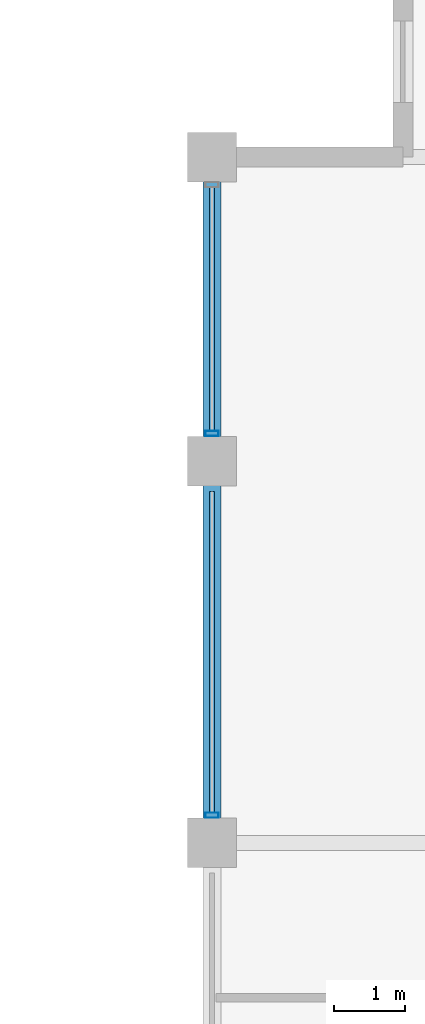
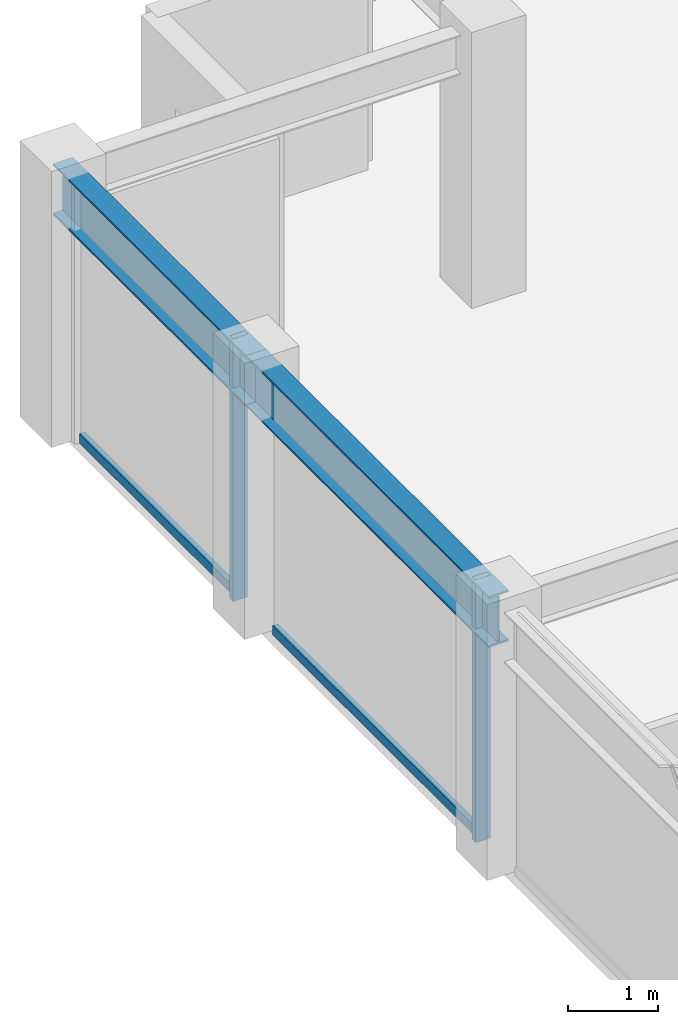
# One storey, part 13 of 31: 4 members, 2 beams, 1 element without a shape of its own.
"""IFC4 building model written with IfcOpenShell, lengths in metres."""

from ifc_helpers import new_model, si_unit, direction, frame, origin, origin_2d, place, context, subcontext, project, spatial, hollow_rectangle, i_section, extrude, material, layer, layer_set, material_profile, profile_set, type_object, element, aggregate, save


model = new_model("IFC4")

# Units and contexts
model_context = context("Model", 3, precision=1e-05, world=origin(), true_north=direction((0.0, 1.0)))
body_context = subcontext(model_context, "Body", "Model", "MODEL_VIEW")
ifc_project = project(units=[si_unit("LENGTHUNIT", "METRE"), si_unit("AREAUNIT", "SQUARE_METRE"), si_unit("VOLUMEUNIT", "CUBIC_METRE"), si_unit("PLANEANGLEUNIT", "RADIAN"), si_unit("MASSUNIT", "GRAM", prefix="KILO")], contexts=[model_context])

# Site, building, storey
site_placement = place(None, origin())
site = spatial("IfcSite", under=ifc_project, at=site_placement, CompositionType="ELEMENT")
building_placement = place(site_placement, origin())
building = spatial("IfcBuilding", under=site, at=building_placement, Name="Surkhivell Harbour Commons", CompositionType="ELEMENT")
storey_placement = place(building_placement, frame((0.0, 0.0, 318.75)))
storey = spatial("IfcBuildingStorey", under=building, at=storey_placement, Name="L83", CompositionType="ELEMENT", Elevation=318.75)

# Beams
ifc_material_1 = material(Name="Steel S355", Category="steel")
ifc_material_profile_1 = material_profile(ifc_material_1, i_section(OverallWidth=0.256103515625, OverallDepth=0.693115234375, WebThickness=0.014404296875, FlangeThickness=0.023681640625, at=origin_2d()), Name="UB686x254x170")
ifc_profile_set_1 = profile_set([ifc_material_profile_1], Name="Steel S355")
beam_type = type_object("IfcBeamType", Name="BM-SPN-686", PredefinedType="SPANDREL", material=ifc_profile_set_1)
beam_1_placement = place(storey_placement, frame((-27.0, 10.800048828125, 3.223388671875), z_axis=(0.0, 1.0, 0.0), x_axis=(-1.0, 0.0, 0.0)))
element("IfcBeam", 1, at=beam_1_placement, inside=storey, type_object=beam_type, Name="L83 Tube Spandrel (-27.0,10.8)", PredefinedType="SPANDREL", context=body_context, shape_type="SweptSolid", body=[
    extrude(i_section(OverallWidth=0.256103515625, OverallDepth=0.693115234375, WebThickness=0.014404296875, FlangeThickness=0.023681640625, at=origin_2d()), origin(), (0.0, 0.0, 1.0), 5.39990234375),
])
beam_2_placement = place(storey_placement, frame((-27.0, 16.199951171875, 3.223388671875), z_axis=(0.0, 1.0, 0.0), x_axis=(-1.0, 0.0, 0.0)))
element("IfcBeam", 2, at=beam_2_placement, inside=storey, type_object=beam_type, Name="L83 Tube Spandrel (-27.0,16.2)", PredefinedType="SPANDREL", context=body_context, shape_type="SweptSolid", body=[
    extrude(i_section(OverallWidth=0.256103515625, OverallDepth=0.693115234375, WebThickness=0.014404296875, FlangeThickness=0.023681640625, at=origin_2d()), origin(), (0.0, 0.0, 1.0), 4.300048828125),
])

# Curtain wall, members
ifc_material_2 = material(Name="Anodised pale-metal aluminium and insulated glazing", Category="aluminium")
ifc_layer = layer(ifc_material_2, 0.175048828125)
ifc_layer_set = layer_set([ifc_layer], Name="Anodised pale-metal aluminium and insulated glazing")
curtain_wall_type = type_object("IfcCurtainWallType", Name="CW-SYS-Z4", PredefinedType="NOTDEFINED", material=ifc_layer_set)
curtain_wall_placement = place(storey_placement, origin())
curtain_wall = element("IfcCurtainWall", 3, at=curtain_wall_placement, inside=storey, type_object=curtain_wall_type, Name="L83 Curtain Wall CW-L83-E12R2", PredefinedType="NOTDEFINED")
ifc_material_3 = material(Name="Anodised pale-metal aluminium alloy 6063-T6", Category="aluminium")
ifc_material_profile_2 = material_profile(ifc_material_3, hollow_rectangle(XDim=0.074951171875, YDim=0.18994140625, WallThickness=0.00390625, at=origin_2d()), Name="ALU-MULL-75x190")
ifc_profile_set_2 = profile_set([ifc_material_profile_2], Name="Anodised pale-metal aluminium alloy 6063-T6")
member_type_1 = type_object("IfcMemberType", Name="CWM-190", PredefinedType="MULLION", material=ifc_profile_set_2)
member_1_placement = place(storey_placement, frame((-27.0, 11.189453125, 0.0), z_axis=(0.0, 0.0, 1.0), x_axis=(0.0, 1.0, 0.0)))
member_1 = element("IfcMember", 4, at=member_1_placement, type_object=member_type_1, Name="CW-Z4 mullion 2", PredefinedType="MULLION", context=body_context, shape_type="SweptSolid", body=[
    extrude(hollow_rectangle(XDim=0.074951171875, YDim=0.18994140625, WallThickness=0.00390625, at=origin_2d()), origin(), (0.0, 0.0, 1.0), 3.570068359375),
])
member_2_placement = place(storey_placement, frame((-27.0, 16.589599609375, 0.0), z_axis=(0.0, 0.0, 1.0), x_axis=(0.0, 1.0, 0.0)))
member_2 = element("IfcMember", 5, at=member_2_placement, type_object=member_type_1, Name="CW-Z4 mullion 3", PredefinedType="MULLION", context=body_context, shape_type="SweptSolid", body=[
    extrude(hollow_rectangle(XDim=0.074951171875, YDim=0.18994140625, WallThickness=0.00390625, at=origin_2d()), origin(), (0.0, 0.0, 1.0), 3.570068359375),
])
ifc_material_4 = material(Name="Champagne anodised aluminium alloy 6063-T6", Category="aluminium")
ifc_material_profile_3 = material_profile(ifc_material_4, hollow_rectangle(XDim=0.070068359375, YDim=0.1298828125, WallThickness=0.00341796875, at=origin_2d()), Name="ALU-TRAN-70x130")
ifc_profile_set_3 = profile_set([ifc_material_profile_3], Name="Champagne anodised aluminium alloy 6063-T6")
member_type_2 = type_object("IfcMemberType", Name="CWT-130", PredefinedType="USERDEFINED", material=ifc_profile_set_3)
member_3_placement = place(storey_placement, frame((-27.0, 11.22705078125, 0.06494140625), z_axis=(0.0, 1.0, 0.0), x_axis=(-1.0, 0.0, 0.0)))
member_3 = element("IfcMember", 6, at=member_3_placement, type_object=member_type_2, Name="CW-Z4 transom 2.1", ObjectType="TRANSOM", PredefinedType="USERDEFINED", context=body_context, shape_type="SweptSolid", body=[
    extrude(hollow_rectangle(XDim=0.070068359375, YDim=0.1298828125, WallThickness=0.00341796875, at=origin_2d()), origin(), (0.0, 0.0, 1.0), 4.5458984375),
])
member_4_placement = place(storey_placement, frame((-27.0, 16.626953125, 0.06494140625), z_axis=(0.0, 1.0, 0.0), x_axis=(-1.0, 0.0, 0.0)))
member_4 = element("IfcMember", 7, at=member_4_placement, type_object=member_type_2, Name="CW-Z4 transom 3.1", ObjectType="TRANSOM", PredefinedType="USERDEFINED", context=body_context, shape_type="SweptSolid", body=[
    extrude(hollow_rectangle(XDim=0.070068359375, YDim=0.1298828125, WallThickness=0.00341796875, at=origin_2d()), origin(), (0.0, 0.0, 1.0), 3.446044921875),
])
aggregate(curtain_wall, [member_1, member_3, member_2, member_4])

save(model, "model.ifc")
